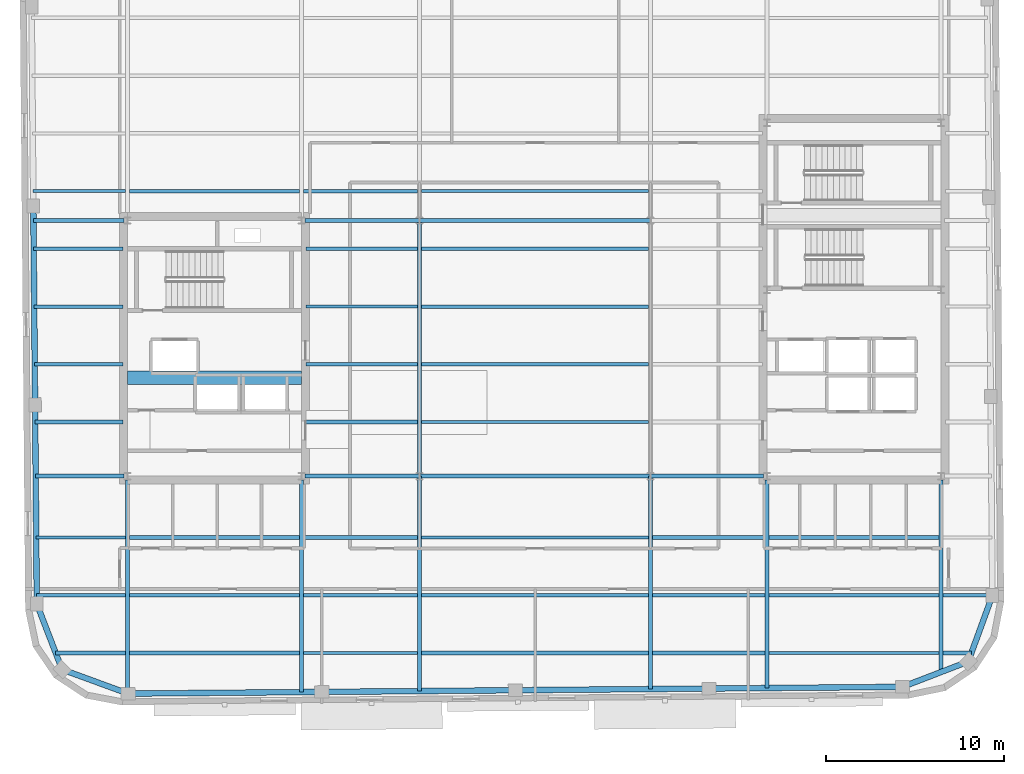
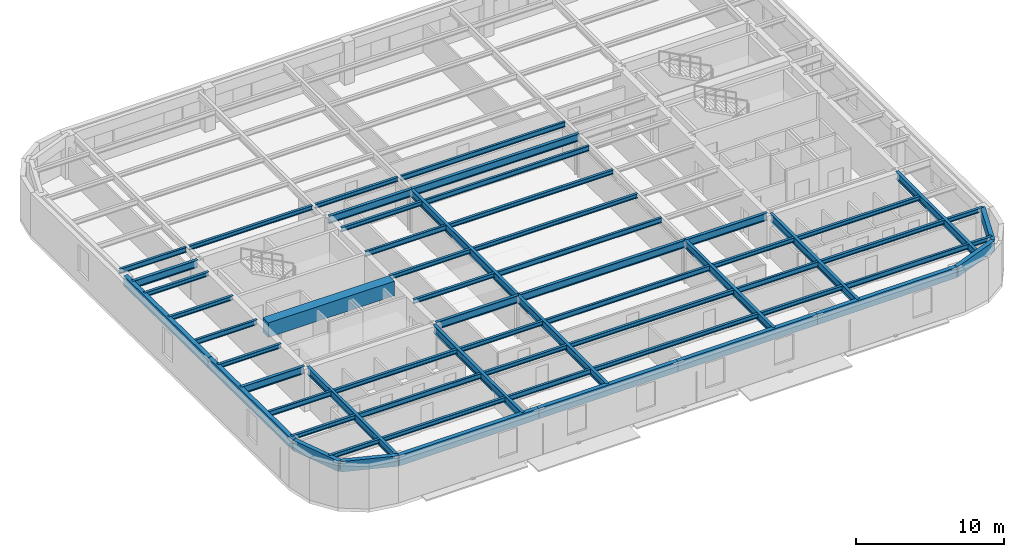
# One storey, part 4 of 13: 61 beams.
"""IFC4 building model written with IfcOpenShell, lengths in metres."""

from ifc_helpers import new_model, si_unit, direction, frame, origin, origin_2d, place, context, subcontext, project, spatial, rectangle, hollow_rectangle, i_section, extrude, material, material_profile, profile_set, type_object, element, save


model = new_model("IFC4")

# Units and contexts
model_context = context("Model", 3, precision=1e-05, world=origin(), true_north=direction((0.0, 1.0)))
body_context = subcontext(model_context, "Body", "Model", "MODEL_VIEW")
ifc_project = project(units=[si_unit("LENGTHUNIT", "METRE"), si_unit("AREAUNIT", "SQUARE_METRE"), si_unit("VOLUMEUNIT", "CUBIC_METRE"), si_unit("PLANEANGLEUNIT", "RADIAN"), si_unit("MASSUNIT", "GRAM", prefix="KILO")], contexts=[model_context])

# Site, building, storey
site_placement = place(None, origin())
site = spatial("IfcSite", under=ifc_project, at=site_placement, CompositionType="ELEMENT")
building_placement = place(site_placement, origin())
building = spatial("IfcBuilding", under=site, at=building_placement, Name="Kolvaren Arena Tower", CompositionType="ELEMENT")
storey_placement = place(building_placement, frame((0.0, 0.0, 278.64990234375)))
storey = spatial("IfcBuildingStorey", under=building, at=storey_placement, Name="L68", CompositionType="ELEMENT", Elevation=278.64990234375)

# Beams
ifc_material_1 = material(Name="Steel CSA G40.21 350W", Category="steel")
ifc_material_profile_1 = material_profile(ifc_material_1, i_section(OverallWidth=0.180908203125, OverallDepth=0.4169921875, WebThickness=0.010986328125, FlangeThickness=0.018310546875, FilletRadius=0.011962890625, at=origin_2d()), Name="W410x85")
ifc_profile_set_1 = profile_set([ifc_material_profile_1], Name="Steel CSA G40.21 350W")
beam_type_1 = type_object("IfcBeamType", Name="BEAM-F3", PredefinedType="BEAM", material=ifc_profile_set_1)
beam_1_placement = place(storey_placement, frame((24.464111328125, 9.5, 3.271484375), z_axis=(1.0, 0.0, 0.0), x_axis=(0.0, 1.0, 0.0)))
element("IfcBeam", 1, at=beam_1_placement, inside=storey, type_object=beam_type_1, Name="Composite Floor Beam (L68)", PredefinedType="BEAM", context=body_context, shape_type="SweptSolid", body=[
    extrude(i_section(OverallWidth=0.180908203125, OverallDepth=0.4169921875, WebThickness=0.010986328125, FlangeThickness=0.018310546875, FilletRadius=0.011962890625, at=origin_2d()), origin(), (0.0, 0.0, 1.0), 6.421875),
])
for number, where, z_axis, x_axis, name in (
    (2, (50.6640625, 9.5, 3.271484375), (1.0, 0.0, 0.0), (0.0, 1.0, 0.0), "Composite Floor Beam (L68)"),
    (3, (14.6640625, 12.75, 3.271484375), (1.0, 0.0, 0.0), (0.0, 1.0, 0.0), "Composite Floor Beam (L68)"),
):
    element("IfcBeam", number, at=place(storey_placement, frame(where, z_axis=z_axis, x_axis=x_axis)), inside=storey, type_object=beam_type_1, Name=name, PredefinedType="BEAM", context=body_context, shape_type="SweptSolid", body=[
        extrude(i_section(OverallWidth=0.180908203125, OverallDepth=0.4169921875, WebThickness=0.010986328125, FlangeThickness=0.018310546875, FilletRadius=0.011962890625, at=origin_2d()), origin(), (0.0, 0.0, 1.0), 9.572021484375),
    ])
beam_2_placement = place(storey_placement, frame((44.114013671875, 12.75, 3.271484375), z_axis=(1.0, 0.0, 0.0), x_axis=(0.0, 1.0, 0.0)))
element("IfcBeam", 4, at=beam_2_placement, inside=storey, type_object=beam_type_1, Name="Composite Floor Beam (L68)", PredefinedType="BEAM", context=body_context, shape_type="SweptSolid", body=[
    extrude(i_section(OverallWidth=0.180908203125, OverallDepth=0.4169921875, WebThickness=0.010986328125, FlangeThickness=0.018310546875, FilletRadius=0.011962890625, at=origin_2d()), origin(), (0.0, 0.0, 1.0), 6.322021484375),
])
beam_3_placement = place(storey_placement, frame((9.4150390625, 16.0, 3.271484375), z_axis=(1.0, 0.0, 0.0), x_axis=(0.0, 1.0, 0.0)))
element("IfcBeam", 5, at=beam_3_placement, inside=storey, type_object=beam_type_1, Name="Composite Floor Beam (L68)", PredefinedType="BEAM", context=body_context, shape_type="SweptSolid", body=[
    extrude(i_section(OverallWidth=0.180908203125, OverallDepth=0.4169921875, WebThickness=0.010986328125, FlangeThickness=0.018310546875, FilletRadius=0.011962890625, at=origin_2d()), origin(), (0.0, 0.0, 1.0), 5.02099609375),
])
for number, where, z_axis, x_axis, name in (
    (6, (31.114013671875, 16.0, 3.271484375), (1.0, 0.0, 0.0), (0.0, 1.0, 0.0), "Composite Floor Beam (L68)"),
    (7, (31.114013671875, 22.5, 3.271484375), (1.0, 0.0, 0.0), (0.0, 1.0, 0.0), "Composite Floor Beam (L68)"),
):
    element("IfcBeam", number, at=place(storey_placement, frame(where, z_axis=z_axis, x_axis=x_axis)), inside=storey, type_object=beam_type_1, Name=name, PredefinedType="BEAM", context=body_context, shape_type="SweptSolid", body=[
        extrude(i_section(OverallWidth=0.180908203125, OverallDepth=0.4169921875, WebThickness=0.010986328125, FlangeThickness=0.018310546875, FilletRadius=0.011962890625, at=origin_2d()), origin(), (0.0, 0.0, 1.0), 12.77197265625),
    ])
beam_4_placement = place(storey_placement, frame((9.330078125, 25.75, 3.271484375), z_axis=(1.0, 0.0, 0.0), x_axis=(0.0, 1.0, 0.0)))
element("IfcBeam", 8, at=beam_4_placement, inside=storey, type_object=beam_type_1, Name="Composite Floor Beam (L68)", PredefinedType="BEAM", context=body_context, shape_type="SweptSolid", body=[
    extrude(i_section(OverallWidth=0.180908203125, OverallDepth=0.4169921875, WebThickness=0.010986328125, FlangeThickness=0.018310546875, FilletRadius=0.011962890625, at=origin_2d()), origin(), (0.0, 0.0, 1.0), 4.974853515625),
])
beam_5_placement = place(storey_placement, frame((24.594970703125, 29.0, 3.271484375), z_axis=(1.0, 0.0, 0.0), x_axis=(0.0, 1.0, 0.0)))
element("IfcBeam", 9, at=beam_5_placement, inside=storey, type_object=beam_type_1, Name="Composite Floor Beam (L68)", PredefinedType="BEAM", context=body_context, shape_type="SweptSolid", body=[
    extrude(i_section(OverallWidth=0.180908203125, OverallDepth=0.4169921875, WebThickness=0.010986328125, FlangeThickness=0.018310546875, FilletRadius=0.011962890625, at=origin_2d()), origin(), (0.0, 0.0, 1.0), 6.291015625),
])
beam_6_placement = place(storey_placement, frame((31.114013671875, 32.25, 3.271484375), z_axis=(1.0, 0.0, 0.0), x_axis=(0.0, 1.0, 0.0)))
element("IfcBeam", 10, at=beam_6_placement, inside=storey, type_object=beam_type_1, Name="Composite Floor Beam (L68)", PredefinedType="BEAM", context=body_context, shape_type="SweptSolid", body=[
    extrude(i_section(OverallWidth=0.180908203125, OverallDepth=0.4169921875, WebThickness=0.010986328125, FlangeThickness=0.018310546875, FilletRadius=0.011962890625, at=origin_2d()), origin(), (0.0, 0.0, 1.0), 12.77197265625),
])
beam_7_placement = place(storey_placement, frame((9.244873046875, 35.5, 3.271484375), z_axis=(1.0, 0.0, 0.0), x_axis=(0.0, 1.0, 0.0)))
element("IfcBeam", 11, at=beam_7_placement, inside=storey, type_object=beam_type_1, Name="Composite Floor Beam (L68)", PredefinedType="BEAM", context=body_context, shape_type="SweptSolid", body=[
    extrude(i_section(OverallWidth=0.180908203125, OverallDepth=0.4169921875, WebThickness=0.010986328125, FlangeThickness=0.018310546875, FilletRadius=0.011962890625, at=origin_2d()), origin(), (0.0, 0.0, 1.0), 5.191162109375),
])
beam_8_placement = place(storey_placement, frame((31.114013671875, 35.5, 3.271484375), z_axis=(1.0, 0.0, 0.0), x_axis=(0.0, 1.0, 0.0)))
element("IfcBeam", 12, at=beam_8_placement, inside=storey, type_object=beam_type_1, Name="Composite Floor Beam (L68)", PredefinedType="BEAM", context=body_context, shape_type="SweptSolid", body=[
    extrude(i_section(OverallWidth=0.180908203125, OverallDepth=0.4169921875, WebThickness=0.010986328125, FlangeThickness=0.018310546875, FilletRadius=0.011962890625, at=origin_2d()), origin(), (0.0, 0.0, 1.0), 12.77197265625),
])
ifc_material_2 = material(Name="Concrete 60 MPa", Category="concrete")
ifc_material_profile_2 = material_profile(ifc_material_2, rectangle(XDim=0.75, YDim=1.199951171875, at=origin_2d()), Name="RC-750x1200")
ifc_profile_set_2 = profile_set([ifc_material_profile_2], Name="Concrete 60 MPa")
beam_type_2 = type_object("IfcBeamType", Name="CB-CORE-2", PredefinedType="BEAM", material=ifc_profile_set_2)
beam_9_placement = place(storey_placement, frame((14.550048828125, 25.0, 3.150146484375), z_axis=(1.0, 0.0, 0.0), x_axis=(0.0, 1.0, 0.0)))
element("IfcBeam", 13, at=beam_9_placement, inside=storey, type_object=beam_type_2, Name="West Core Coupling Beam (L68)", PredefinedType="BEAM", context=body_context, shape_type="SweptSolid", body=[
    extrude(rectangle(XDim=0.75, YDim=1.199951171875, at=origin_2d()), origin(), (0.0, 0.0, 1.0), 9.800048828125),
])
ifc_material_profile_3 = material_profile(ifc_material_1, i_section(OverallWidth=0.22802734375, OverallDepth=0.615966796875, WebThickness=0.013916015625, FlangeThickness=0.02490234375, FilletRadius=0.014892578125, at=origin_2d()), Name="W610x174")
ifc_profile_set_3 = profile_set([ifc_material_profile_3], Name="Steel CSA G40.21 350W")
beam_type_3 = type_object("IfcBeamType", Name="GIRD-T3", PredefinedType="BEAM", material=ifc_profile_set_3)
beam_10_placement = place(storey_placement, frame((9.385009765625, 19.449951171875, 3.172119140625), z_axis=(1.0, 0.0, 0.0), x_axis=(0.0, 1.0, 0.0)))
element("IfcBeam", 14, at=beam_10_placement, inside=storey, type_object=beam_type_3, Name="Primary Floor Girder (L68)", PredefinedType="BEAM", context=body_context, shape_type="SweptSolid", body=[
    extrude(i_section(OverallWidth=0.22802734375, OverallDepth=0.615966796875, WebThickness=0.013916015625, FlangeThickness=0.02490234375, FilletRadius=0.014892578125, at=origin_2d()), origin(), (0.0, 0.0, 1.0), 4.9599609375),
])
beam_11_placement = place(storey_placement, frame((24.554931640625, 19.449951171875, 3.172119140625), z_axis=(1.0, 0.0, 0.0), x_axis=(0.0, 1.0, 0.0)))
element("IfcBeam", 15, at=beam_11_placement, inside=storey, type_object=beam_type_3, Name="Primary Floor Girder (L68)", PredefinedType="BEAM", context=body_context, shape_type="SweptSolid", body=[
    extrude(i_section(OverallWidth=0.22802734375, OverallDepth=0.615966796875, WebThickness=0.013916015625, FlangeThickness=0.02490234375, FilletRadius=0.014892578125, at=origin_2d()), origin(), (0.0, 0.0, 1.0), 6.445068359375),
])
beam_12_placement = place(storey_placement, frame((31.0, 19.449951171875, 3.172119140625), z_axis=(1.0, 0.0, 0.0), x_axis=(0.0, 1.0, 0.0)))
element("IfcBeam", 16, at=beam_12_placement, inside=storey, type_object=beam_type_3, Name="Primary Floor Girder (L68)", PredefinedType="BEAM", context=body_context, shape_type="SweptSolid", body=[
    extrude(i_section(OverallWidth=0.22802734375, OverallDepth=0.615966796875, WebThickness=0.013916015625, FlangeThickness=0.02490234375, FilletRadius=0.014892578125, at=origin_2d()), origin(), (0.0, 0.0, 1.0), 13.0),
])
beam_13_placement = place(storey_placement, frame((44.0, 19.449951171875, 3.172119140625), z_axis=(1.0, 0.0, 0.0), x_axis=(0.0, 1.0, 0.0)))
element("IfcBeam", 17, at=beam_13_placement, inside=storey, type_object=beam_type_3, Name="Primary Floor Girder (L68)", PredefinedType="BEAM", context=body_context, shape_type="SweptSolid", body=[
    extrude(i_section(OverallWidth=0.22802734375, OverallDepth=0.615966796875, WebThickness=0.013916015625, FlangeThickness=0.02490234375, FilletRadius=0.014892578125, at=origin_2d()), origin(), (0.0, 0.0, 1.0), 6.344970703125),
])
beam_14_placement = place(storey_placement, frame((9.25927734375, 33.85009765625, 3.172119140625), z_axis=(1.0, 0.0, 0.0), x_axis=(0.0, 1.0, 0.0)))
element("IfcBeam", 18, at=beam_14_placement, inside=storey, type_object=beam_type_3, Name="Primary Floor Girder (L68)", PredefinedType="BEAM", context=body_context, shape_type="SweptSolid", body=[
    extrude(i_section(OverallWidth=0.22802734375, OverallDepth=0.615966796875, WebThickness=0.013916015625, FlangeThickness=0.02490234375, FilletRadius=0.014892578125, at=origin_2d()), origin(), (0.0, 0.0, 1.0), 5.085693359375),
])
beam_15_placement = place(storey_placement, frame((24.554931640625, 33.85009765625, 3.172119140625), z_axis=(1.0, 0.0, 0.0), x_axis=(0.0, 1.0, 0.0)))
element("IfcBeam", 19, at=beam_15_placement, inside=storey, type_object=beam_type_3, Name="Primary Floor Girder (L68)", PredefinedType="BEAM", context=body_context, shape_type="SweptSolid", body=[
    extrude(i_section(OverallWidth=0.22802734375, OverallDepth=0.615966796875, WebThickness=0.013916015625, FlangeThickness=0.02490234375, FilletRadius=0.014892578125, at=origin_2d()), origin(), (0.0, 0.0, 1.0), 6.445068359375),
])
beam_16_placement = place(storey_placement, frame((31.0, 33.85009765625, 3.172119140625), z_axis=(1.0, 0.0, 0.0), x_axis=(0.0, 1.0, 0.0)))
element("IfcBeam", 20, at=beam_16_placement, inside=storey, type_object=beam_type_3, Name="Primary Floor Girder (L68)", PredefinedType="BEAM", context=body_context, shape_type="SweptSolid", body=[
    extrude(i_section(OverallWidth=0.22802734375, OverallDepth=0.615966796875, WebThickness=0.013916015625, FlangeThickness=0.02490234375, FilletRadius=0.014892578125, at=origin_2d()), origin(), (0.0, 0.0, 1.0), 13.0),
])
beam_17_placement = place(storey_placement, frame((14.550048828125, 7.225830078125, 3.172119140625), z_axis=(0.0, 1.0, 0.0), x_axis=(-1.0, 0.0, 0.0)))
element("IfcBeam", 21, at=beam_17_placement, inside=storey, type_object=beam_type_3, Name="Primary Floor Girder (L68)", PredefinedType="BEAM", context=body_context, shape_type="SweptSolid", body=[
    extrude(i_section(OverallWidth=0.22802734375, OverallDepth=0.615966796875, WebThickness=0.013916015625, FlangeThickness=0.02490234375, FilletRadius=0.014892578125, at=origin_2d()), origin(), (0.0, 0.0, 1.0), 12.019287109375),
])
beam_18_placement = place(storey_placement, frame((24.35009765625, 7.295654296875, 3.172119140625), z_axis=(0.0, 1.0, 0.0), x_axis=(-1.0, 0.0, 0.0)))
element("IfcBeam", 22, at=beam_18_placement, inside=storey, type_object=beam_type_3, Name="Primary Floor Girder (L68)", PredefinedType="BEAM", context=body_context, shape_type="SweptSolid", body=[
    extrude(i_section(OverallWidth=0.22802734375, OverallDepth=0.615966796875, WebThickness=0.013916015625, FlangeThickness=0.02490234375, FilletRadius=0.014892578125, at=origin_2d()), origin(), (0.0, 0.0, 1.0), 11.949462890625),
])
beam_19_placement = place(storey_placement, frame((31.0, 7.353759765625, 3.172119140625), z_axis=(0.0, 1.0, 0.0), x_axis=(-1.0, 0.0, 0.0)))
element("IfcBeam", 23, at=beam_19_placement, inside=storey, type_object=beam_type_3, Name="Primary Floor Girder (L68)", PredefinedType="BEAM", context=body_context, shape_type="SweptSolid", body=[
    extrude(i_section(OverallWidth=0.22802734375, OverallDepth=0.615966796875, WebThickness=0.013916015625, FlangeThickness=0.02490234375, FilletRadius=0.014892578125, at=origin_2d()), origin(), (0.0, 0.0, 1.0), 12.09619140625),
])
beam_20_placement = place(storey_placement, frame((31.0, 19.449951171875, 3.172119140625), z_axis=(0.0, 1.0, 0.0), x_axis=(-1.0, 0.0, 0.0)))
element("IfcBeam", 24, at=beam_20_placement, inside=storey, type_object=beam_type_3, Name="Primary Floor Girder (L68)", PredefinedType="BEAM", context=body_context, shape_type="SweptSolid", body=[
    extrude(i_section(OverallWidth=0.22802734375, OverallDepth=0.615966796875, WebThickness=0.013916015625, FlangeThickness=0.02490234375, FilletRadius=0.014892578125, at=origin_2d()), origin(), (0.0, 0.0, 1.0), 14.400146484375),
])
beam_21_placement = place(storey_placement, frame((44.0, 7.46728515625, 3.172119140625), z_axis=(0.0, 1.0, 0.0), x_axis=(-1.0, 0.0, 0.0)))
element("IfcBeam", 25, at=beam_21_placement, inside=storey, type_object=beam_type_3, Name="Primary Floor Girder (L68)", PredefinedType="BEAM", context=body_context, shape_type="SweptSolid", body=[
    extrude(i_section(OverallWidth=0.22802734375, OverallDepth=0.615966796875, WebThickness=0.013916015625, FlangeThickness=0.02490234375, FilletRadius=0.014892578125, at=origin_2d()), origin(), (0.0, 0.0, 1.0), 11.982666015625),
])
beam_22_placement = place(storey_placement, frame((50.550048828125, 7.5244140625, 3.172119140625), z_axis=(0.0, 1.0, 0.0), x_axis=(-1.0, 0.0, 0.0)))
element("IfcBeam", 26, at=beam_22_placement, inside=storey, type_object=beam_type_3, Name="Primary Floor Girder (L68)", PredefinedType="BEAM", context=body_context, shape_type="SweptSolid", body=[
    extrude(i_section(OverallWidth=0.22802734375, OverallDepth=0.615966796875, WebThickness=0.013916015625, FlangeThickness=0.02490234375, FilletRadius=0.014892578125, at=origin_2d()), origin(), (0.0, 0.0, 1.0), 11.720703125),
])
beam_23_placement = place(storey_placement, frame((60.35009765625, 8.4228515625, 3.172119140625), z_axis=(0.0, 1.0, 0.0), x_axis=(-1.0, 0.0, 0.0)))
element("IfcBeam", 27, at=beam_23_placement, inside=storey, type_object=beam_type_3, Name="Primary Floor Girder (L68)", PredefinedType="BEAM", context=body_context, shape_type="SweptSolid", body=[
    extrude(i_section(OverallWidth=0.22802734375, OverallDepth=0.615966796875, WebThickness=0.013916015625, FlangeThickness=0.02490234375, FilletRadius=0.014892578125, at=origin_2d()), origin(), (0.0, 0.0, 1.0), 10.822265625),
])
ifc_material_profile_4 = material_profile(ifc_material_1, i_section(OverallWidth=0.202880859375, OverallDepth=0.346923828125, WebThickness=0.0078125, FlangeThickness=0.013427734375, FilletRadius=0.010986328125, at=origin_2d()), Name="W360x64")
ifc_profile_set_4 = profile_set([ifc_material_profile_4], Name="Steel CSA G40.21 350W")
beam_type_4 = type_object("IfcBeamType", Name="JOIST-01", PredefinedType="JOIST", material=ifc_profile_set_4)
beam_24_placement = place(storey_placement, frame((10.5126953125, 9.5, 3.306640625), z_axis=(1.0, 0.0, 0.0), x_axis=(0.0, 1.0, 0.0)))
element("IfcBeam", 28, at=beam_24_placement, inside=storey, type_object=beam_type_4, Name="Composite Floor Joist (L68)", PredefinedType="JOIST", context=body_context, shape_type="SweptSolid", body=[
    extrude(i_section(OverallWidth=0.202880859375, OverallDepth=0.346923828125, WebThickness=0.0078125, FlangeThickness=0.013427734375, FilletRadius=0.010986328125, at=origin_2d()), origin(), (0.0, 0.0, 1.0), 3.92333984375),
])
beam_25_placement = place(storey_placement, frame((14.6640625, 9.5, 3.306640625), z_axis=(1.0, 0.0, 0.0), x_axis=(0.0, 1.0, 0.0)))
element("IfcBeam", 29, at=beam_25_placement, inside=storey, type_object=beam_type_4, Name="Composite Floor Joist (L68)", PredefinedType="JOIST", context=body_context, shape_type="SweptSolid", body=[
    extrude(i_section(OverallWidth=0.202880859375, OverallDepth=0.346923828125, WebThickness=0.0078125, FlangeThickness=0.013427734375, FilletRadius=0.010986328125, at=origin_2d()), origin(), (0.0, 0.0, 1.0), 9.572021484375),
])
beam_26_placement = place(storey_placement, frame((31.114013671875, 9.5, 3.306640625), z_axis=(1.0, 0.0, 0.0), x_axis=(0.0, 1.0, 0.0)))
element("IfcBeam", 30, at=beam_26_placement, inside=storey, type_object=beam_type_4, Name="Composite Floor Joist (L68)", PredefinedType="JOIST", context=body_context, shape_type="SweptSolid", body=[
    extrude(i_section(OverallWidth=0.202880859375, OverallDepth=0.346923828125, WebThickness=0.0078125, FlangeThickness=0.013427734375, FilletRadius=0.010986328125, at=origin_2d()), origin(), (0.0, 0.0, 1.0), 12.77197265625),
])
beam_27_placement = place(storey_placement, frame((44.114013671875, 9.5, 3.306640625), z_axis=(1.0, 0.0, 0.0), x_axis=(0.0, 1.0, 0.0)))
element("IfcBeam", 31, at=beam_27_placement, inside=storey, type_object=beam_type_4, Name="Composite Floor Joist (L68)", PredefinedType="JOIST", context=body_context, shape_type="SweptSolid", body=[
    extrude(i_section(OverallWidth=0.202880859375, OverallDepth=0.346923828125, WebThickness=0.0078125, FlangeThickness=0.013427734375, FilletRadius=0.010986328125, at=origin_2d()), origin(), (0.0, 0.0, 1.0), 6.322021484375),
])
beam_28_placement = place(storey_placement, frame((60.464111328125, 9.5, 3.306640625), z_axis=(1.0, 0.0, 0.0), x_axis=(0.0, 1.0, 0.0)))
element("IfcBeam", 32, at=beam_28_placement, inside=storey, type_object=beam_type_4, Name="Composite Floor Joist (L68)", PredefinedType="JOIST", context=body_context, shape_type="SweptSolid", body=[
    extrude(i_section(OverallWidth=0.202880859375, OverallDepth=0.346923828125, WebThickness=0.0078125, FlangeThickness=0.013427734375, FilletRadius=0.010986328125, at=origin_2d()), origin(), (0.0, 0.0, 1.0), 1.60009765625),
])
beam_29_placement = place(storey_placement, frame((9.443359375, 12.75, 3.306640625), z_axis=(1.0, 0.0, 0.0), x_axis=(0.0, 1.0, 0.0)))
element("IfcBeam", 33, at=beam_29_placement, inside=storey, type_object=beam_type_4, Name="Composite Floor Joist (L68)", PredefinedType="JOIST", context=body_context, shape_type="SweptSolid", body=[
    extrude(i_section(OverallWidth=0.202880859375, OverallDepth=0.346923828125, WebThickness=0.0078125, FlangeThickness=0.013427734375, FilletRadius=0.010986328125, at=origin_2d()), origin(), (0.0, 0.0, 1.0), 4.99267578125),
])
beam_30_placement = place(storey_placement, frame((24.464111328125, 12.75, 3.306640625), z_axis=(1.0, 0.0, 0.0), x_axis=(0.0, 1.0, 0.0)))
element("IfcBeam", 34, at=beam_30_placement, inside=storey, type_object=beam_type_4, Name="Composite Floor Joist (L68)", PredefinedType="JOIST", context=body_context, shape_type="SweptSolid", body=[
    extrude(i_section(OverallWidth=0.202880859375, OverallDepth=0.346923828125, WebThickness=0.0078125, FlangeThickness=0.013427734375, FilletRadius=0.010986328125, at=origin_2d()), origin(), (0.0, 0.0, 1.0), 6.421875),
])
beam_31_placement = place(storey_placement, frame((31.114013671875, 12.75, 3.306640625), z_axis=(1.0, 0.0, 0.0), x_axis=(0.0, 1.0, 0.0)))
element("IfcBeam", 35, at=beam_31_placement, inside=storey, type_object=beam_type_4, Name="Composite Floor Joist (L68)", PredefinedType="JOIST", context=body_context, shape_type="SweptSolid", body=[
    extrude(i_section(OverallWidth=0.202880859375, OverallDepth=0.346923828125, WebThickness=0.0078125, FlangeThickness=0.013427734375, FilletRadius=0.010986328125, at=origin_2d()), origin(), (0.0, 0.0, 1.0), 12.77197265625),
])
beam_32_placement = place(storey_placement, frame((50.6640625, 12.75, 3.306640625), z_axis=(1.0, 0.0, 0.0), x_axis=(0.0, 1.0, 0.0)))
element("IfcBeam", 36, at=beam_32_placement, inside=storey, type_object=beam_type_4, Name="Composite Floor Joist (L68)", PredefinedType="JOIST", context=body_context, shape_type="SweptSolid", body=[
    extrude(i_section(OverallWidth=0.202880859375, OverallDepth=0.346923828125, WebThickness=0.0078125, FlangeThickness=0.013427734375, FilletRadius=0.010986328125, at=origin_2d()), origin(), (0.0, 0.0, 1.0), 9.572021484375),
])
beam_33_placement = place(storey_placement, frame((60.464111328125, 12.75, 3.306640625), z_axis=(1.0, 0.0, 0.0), x_axis=(0.0, 1.0, 0.0)))
element("IfcBeam", 37, at=beam_33_placement, inside=storey, type_object=beam_type_4, Name="Composite Floor Joist (L68)", PredefinedType="JOIST", context=body_context, shape_type="SweptSolid", body=[
    extrude(i_section(OverallWidth=0.202880859375, OverallDepth=0.346923828125, WebThickness=0.0078125, FlangeThickness=0.013427734375, FilletRadius=0.010986328125, at=origin_2d()), origin(), (0.0, 0.0, 1.0), 2.781494140625),
])
beam_34_placement = place(storey_placement, frame((14.6640625, 16.0, 3.306640625), z_axis=(1.0, 0.0, 0.0), x_axis=(0.0, 1.0, 0.0)))
element("IfcBeam", 38, at=beam_34_placement, inside=storey, type_object=beam_type_4, Name="Composite Floor Joist (L68)", PredefinedType="JOIST", context=body_context, shape_type="SweptSolid", body=[
    extrude(i_section(OverallWidth=0.202880859375, OverallDepth=0.346923828125, WebThickness=0.0078125, FlangeThickness=0.013427734375, FilletRadius=0.010986328125, at=origin_2d()), origin(), (0.0, 0.0, 1.0), 9.572021484375),
])
beam_35_placement = place(storey_placement, frame((24.464111328125, 16.0, 3.306640625), z_axis=(1.0, 0.0, 0.0), x_axis=(0.0, 1.0, 0.0)))
element("IfcBeam", 39, at=beam_35_placement, inside=storey, type_object=beam_type_4, Name="Composite Floor Joist (L68)", PredefinedType="JOIST", context=body_context, shape_type="SweptSolid", body=[
    extrude(i_section(OverallWidth=0.202880859375, OverallDepth=0.346923828125, WebThickness=0.0078125, FlangeThickness=0.013427734375, FilletRadius=0.010986328125, at=origin_2d()), origin(), (0.0, 0.0, 1.0), 6.421875),
])
beam_36_placement = place(storey_placement, frame((44.114013671875, 16.0, 3.306640625), z_axis=(1.0, 0.0, 0.0), x_axis=(0.0, 1.0, 0.0)))
element("IfcBeam", 40, at=beam_36_placement, inside=storey, type_object=beam_type_4, Name="Composite Floor Joist (L68)", PredefinedType="JOIST", context=body_context, shape_type="SweptSolid", body=[
    extrude(i_section(OverallWidth=0.202880859375, OverallDepth=0.346923828125, WebThickness=0.0078125, FlangeThickness=0.013427734375, FilletRadius=0.010986328125, at=origin_2d()), origin(), (0.0, 0.0, 1.0), 6.322021484375),
])
beam_37_placement = place(storey_placement, frame((50.6640625, 16.0, 3.306640625), z_axis=(1.0, 0.0, 0.0), x_axis=(0.0, 1.0, 0.0)))
element("IfcBeam", 41, at=beam_37_placement, inside=storey, type_object=beam_type_4, Name="Composite Floor Joist (L68)", PredefinedType="JOIST", context=body_context, shape_type="SweptSolid", body=[
    extrude(i_section(OverallWidth=0.202880859375, OverallDepth=0.346923828125, WebThickness=0.0078125, FlangeThickness=0.013427734375, FilletRadius=0.010986328125, at=origin_2d()), origin(), (0.0, 0.0, 1.0), 9.572021484375),
])
beam_38_placement = place(storey_placement, frame((9.3583984375, 22.5, 3.306640625), z_axis=(1.0, 0.0, 0.0), x_axis=(0.0, 1.0, 0.0)))
element("IfcBeam", 42, at=beam_38_placement, inside=storey, type_object=beam_type_4, Name="Composite Floor Joist (L68)", PredefinedType="JOIST", context=body_context, shape_type="SweptSolid", body=[
    extrude(i_section(OverallWidth=0.202880859375, OverallDepth=0.346923828125, WebThickness=0.0078125, FlangeThickness=0.013427734375, FilletRadius=0.010986328125, at=origin_2d()), origin(), (0.0, 0.0, 1.0), 4.946533203125),
])
for number, where, z_axis, x_axis, name in (
    (43, (24.594970703125, 22.5, 3.306640625), (1.0, 0.0, 0.0), (0.0, 1.0, 0.0), "Composite Floor Joist (L68)"),
    (44, (24.594970703125, 25.75, 3.306640625), (1.0, 0.0, 0.0), (0.0, 1.0, 0.0), "Composite Floor Joist (L68)"),
):
    element("IfcBeam", number, at=place(storey_placement, frame(where, z_axis=z_axis, x_axis=x_axis)), inside=storey, type_object=beam_type_4, Name=name, PredefinedType="JOIST", context=body_context, shape_type="SweptSolid", body=[
        extrude(i_section(OverallWidth=0.202880859375, OverallDepth=0.346923828125, WebThickness=0.0078125, FlangeThickness=0.013427734375, FilletRadius=0.010986328125, at=origin_2d()), origin(), (0.0, 0.0, 1.0), 6.291015625),
    ])
beam_39_placement = place(storey_placement, frame((31.114013671875, 25.75, 3.306640625), z_axis=(1.0, 0.0, 0.0), x_axis=(0.0, 1.0, 0.0)))
element("IfcBeam", 45, at=beam_39_placement, inside=storey, type_object=beam_type_4, Name="Composite Floor Joist (L68)", PredefinedType="JOIST", context=body_context, shape_type="SweptSolid", body=[
    extrude(i_section(OverallWidth=0.202880859375, OverallDepth=0.346923828125, WebThickness=0.0078125, FlangeThickness=0.013427734375, FilletRadius=0.010986328125, at=origin_2d()), origin(), (0.0, 0.0, 1.0), 12.77197265625),
])
beam_40_placement = place(storey_placement, frame((9.301513671875, 29.0, 3.306640625), z_axis=(1.0, 0.0, 0.0), x_axis=(0.0, 1.0, 0.0)))
element("IfcBeam", 46, at=beam_40_placement, inside=storey, type_object=beam_type_4, Name="Composite Floor Joist (L68)", PredefinedType="JOIST", context=body_context, shape_type="SweptSolid", body=[
    extrude(i_section(OverallWidth=0.202880859375, OverallDepth=0.346923828125, WebThickness=0.0078125, FlangeThickness=0.013427734375, FilletRadius=0.010986328125, at=origin_2d()), origin(), (0.0, 0.0, 1.0), 5.00341796875),
])
beam_41_placement = place(storey_placement, frame((31.114013671875, 29.0, 3.306640625), z_axis=(1.0, 0.0, 0.0), x_axis=(0.0, 1.0, 0.0)))
element("IfcBeam", 47, at=beam_41_placement, inside=storey, type_object=beam_type_4, Name="Composite Floor Joist (L68)", PredefinedType="JOIST", context=body_context, shape_type="SweptSolid", body=[
    extrude(i_section(OverallWidth=0.202880859375, OverallDepth=0.346923828125, WebThickness=0.0078125, FlangeThickness=0.013427734375, FilletRadius=0.010986328125, at=origin_2d()), origin(), (0.0, 0.0, 1.0), 12.77197265625),
])
beam_42_placement = place(storey_placement, frame((9.273193359375, 32.25, 3.306640625), z_axis=(1.0, 0.0, 0.0), x_axis=(0.0, 1.0, 0.0)))
element("IfcBeam", 48, at=beam_42_placement, inside=storey, type_object=beam_type_4, Name="Composite Floor Joist (L68)", PredefinedType="JOIST", context=body_context, shape_type="SweptSolid", body=[
    extrude(i_section(OverallWidth=0.202880859375, OverallDepth=0.346923828125, WebThickness=0.0078125, FlangeThickness=0.013427734375, FilletRadius=0.010986328125, at=origin_2d()), origin(), (0.0, 0.0, 1.0), 5.03173828125),
])
beam_43_placement = place(storey_placement, frame((24.594970703125, 32.25, 3.306640625), z_axis=(1.0, 0.0, 0.0), x_axis=(0.0, 1.0, 0.0)))
element("IfcBeam", 49, at=beam_43_placement, inside=storey, type_object=beam_type_4, Name="Composite Floor Joist (L68)", PredefinedType="JOIST", context=body_context, shape_type="SweptSolid", body=[
    extrude(i_section(OverallWidth=0.202880859375, OverallDepth=0.346923828125, WebThickness=0.0078125, FlangeThickness=0.013427734375, FilletRadius=0.010986328125, at=origin_2d()), origin(), (0.0, 0.0, 1.0), 6.291015625),
])
beam_44_placement = place(storey_placement, frame((14.6640625, 35.5, 3.306640625), z_axis=(1.0, 0.0, 0.0), x_axis=(0.0, 1.0, 0.0)))
element("IfcBeam", 50, at=beam_44_placement, inside=storey, type_object=beam_type_4, Name="Composite Floor Joist (L68)", PredefinedType="JOIST", context=body_context, shape_type="SweptSolid", body=[
    extrude(i_section(OverallWidth=0.202880859375, OverallDepth=0.346923828125, WebThickness=0.0078125, FlangeThickness=0.013427734375, FilletRadius=0.010986328125, at=origin_2d()), origin(), (0.0, 0.0, 1.0), 9.572021484375),
])
beam_45_placement = place(storey_placement, frame((24.464111328125, 35.5, 3.306640625), z_axis=(1.0, 0.0, 0.0), x_axis=(0.0, 1.0, 0.0)))
element("IfcBeam", 51, at=beam_45_placement, inside=storey, type_object=beam_type_4, Name="Composite Floor Joist (L68)", PredefinedType="JOIST", context=body_context, shape_type="SweptSolid", body=[
    extrude(i_section(OverallWidth=0.202880859375, OverallDepth=0.346923828125, WebThickness=0.0078125, FlangeThickness=0.013427734375, FilletRadius=0.010986328125, at=origin_2d()), origin(), (0.0, 0.0, 1.0), 6.421875),
])
ifc_material_3 = material(Name="Steel CSA G40.21 350WT", Category="steel")
ifc_material_profile_5 = material_profile(ifc_material_3, hollow_rectangle(XDim=0.320068359375, YDim=0.860107421875, WallThickness=0.01806640625, at=origin_2d()), Name="HSS 860x320x18")
ifc_profile_set_5 = profile_set([ifc_material_profile_5], Name="Steel CSA G40.21 350WT")
beam_type_5 = type_object("IfcBeamType", Name="SPAND-02", PredefinedType="SPANDREL", material=ifc_profile_set_5)
for number, where, z_axis, x_axis, name in (
    (52, (14.591796875, 7.210693359375, 3.050048828125), (0.999962042393, 0.008712851036, 0.0), (-0.008712851036, 0.999962042393, 0.0), "Perimeter Spandrel Beam (L68)"),
    (53, (25.491455078125, 7.3056640625, 3.050048828125), (0.999961846999, 0.008735247404, 0.0), (-0.008735247404, 0.999961846999, 0.0), "Perimeter Spandrel Beam (L68)"),
    (54, (36.39111328125, 7.40087890625, 3.050048828125), (0.999961846999, 0.008735247404, 0.0), (-0.008735247404, 0.999961846999, 0.0), "Perimeter Spandrel Beam (L68)"),
):
    element("IfcBeam", number, at=place(storey_placement, frame(where, z_axis=z_axis, x_axis=x_axis)), inside=storey, type_object=beam_type_5, Name=name, PredefinedType="SPANDREL", context=body_context, shape_type="SweptSolid", body=[
        extrude(hollow_rectangle(XDim=0.320068359375, YDim=0.860107421875, WallThickness=0.01806640625, at=origin_2d()), origin(), (0.0, 0.0, 1.0), 10.900146484375),
    ])
beam_46_placement = place(storey_placement, frame((47.290771484375, 7.49609375, 3.050048828125), z_axis=(0.999962040693, 0.008713046184, 0.0), x_axis=(-0.008713046184, 0.999962040693, 0.0)))
element("IfcBeam", 55, at=beam_46_placement, inside=storey, type_object=beam_type_5, Name="Perimeter Spandrel Beam (L68)", PredefinedType="SPANDREL", context=body_context, shape_type="SweptSolid", body=[
    extrude(hollow_rectangle(XDim=0.320068359375, YDim=0.860107421875, WallThickness=0.01806640625, at=origin_2d()), origin(), (0.0, 0.0, 1.0), 10.89990234375),
])
for number, where, z_axis, x_axis, name in (
    (56, (58.190185546875, 7.591064453125, 3.050048828125), (0.933189846698, 0.359383792094, 0.0), (-0.359383792094, 0.933189846698, 0.0), "Perimeter Spandrel Beam (L68)"),
    (57, (61.88671875, 9.0146484375, 3.050048828125), (0.343059102458, 0.939313819882, 0.0), (-0.939313819882, 0.343059102458, 0.0), "Perimeter Spandrel Beam (L68)"),
):
    element("IfcBeam", number, at=place(storey_placement, frame(where, z_axis=z_axis, x_axis=x_axis)), inside=storey, type_object=beam_type_5, Name=name, PredefinedType="SPANDREL", context=body_context, shape_type="SweptSolid", body=[
        extrude(hollow_rectangle(XDim=0.320068359375, YDim=0.860107421875, WallThickness=0.01806640625, at=origin_2d()), origin(), (0.0, 0.0, 1.0), 3.961181640625),
    ])
beam_47_placement = place(storey_placement, frame((9.252197265625, 34.6650390625, 3.050048828125), z_axis=(0.008719394723, -0.999961985355, 0.0), x_axis=(0.999961985355, 0.008719394723, 0.0)))
element("IfcBeam", 58, at=beam_47_placement, inside=storey, type_object=beam_type_5, Name="Perimeter Spandrel Beam (L68)", PredefinedType="SPANDREL", context=body_context, shape_type="SweptSolid", body=[
    extrude(hollow_rectangle(XDim=0.320068359375, YDim=0.860107421875, WallThickness=0.01806640625, at=origin_2d()), origin(), (0.0, 0.0, 1.0), 11.199951171875),
])
beam_48_placement = place(storey_placement, frame((9.349853515625, 23.465576171875, 3.050048828125), z_axis=(0.008719204665, -0.999961987013, 0.0), x_axis=(0.999961987013, 0.008719204665, 0.0)))
element("IfcBeam", 59, at=beam_48_placement, inside=storey, type_object=beam_type_5, Name="Perimeter Spandrel Beam (L68)", PredefinedType="SPANDREL", context=body_context, shape_type="SweptSolid", body=[
    extrude(hollow_rectangle(XDim=0.320068359375, YDim=0.860107421875, WallThickness=0.01806640625, at=origin_2d()), origin(), (0.0, 0.0, 1.0), 11.2001953125),
])
beam_49_placement = place(storey_placement, frame((9.447509765625, 12.265869140625, 3.050048828125), z_axis=(0.359383792094, -0.933189846698, 0.0), x_axis=(0.933189846698, 0.359383792094, 0.0)))
element("IfcBeam", 60, at=beam_49_placement, inside=storey, type_object=beam_type_5, Name="Perimeter Spandrel Beam (L68)", PredefinedType="SPANDREL", context=body_context, shape_type="SweptSolid", body=[
    extrude(hollow_rectangle(XDim=0.320068359375, YDim=0.860107421875, WallThickness=0.01806640625, at=origin_2d()), origin(), (0.0, 0.0, 1.0), 3.961181640625),
])
beam_50_placement = place(storey_placement, frame((10.87109375, 8.5693359375, 3.050048828125), z_axis=(0.939333679924, -0.343004719736, 0.0), x_axis=(0.343004719736, 0.939333679924, 0.0)))
element("IfcBeam", 61, at=beam_50_placement, inside=storey, type_object=beam_type_5, Name="Perimeter Spandrel Beam (L68)", PredefinedType="SPANDREL", context=body_context, shape_type="SweptSolid", body=[
    extrude(hollow_rectangle(XDim=0.320068359375, YDim=0.860107421875, WallThickness=0.01806640625, at=origin_2d()), origin(), (0.0, 0.0, 1.0), 3.9609375),
])

save(model, "model.ifc")
